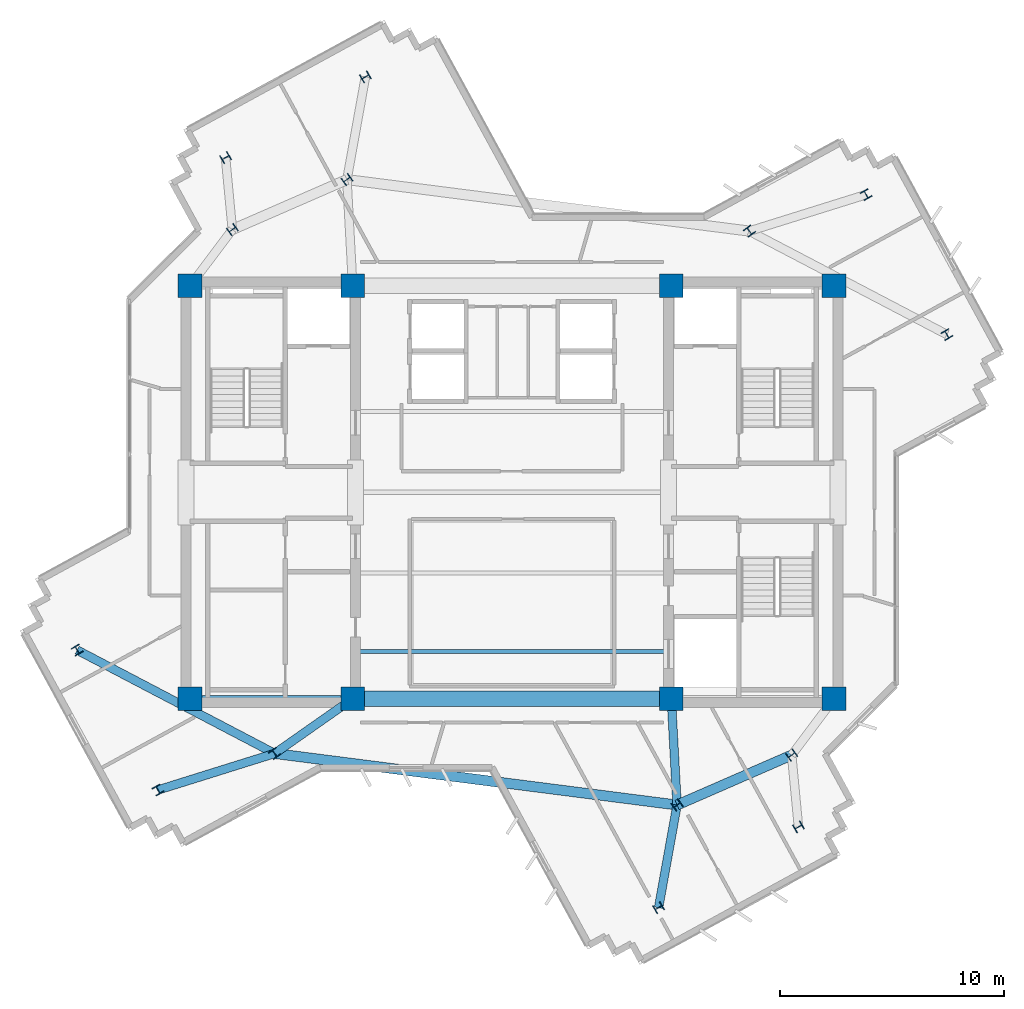
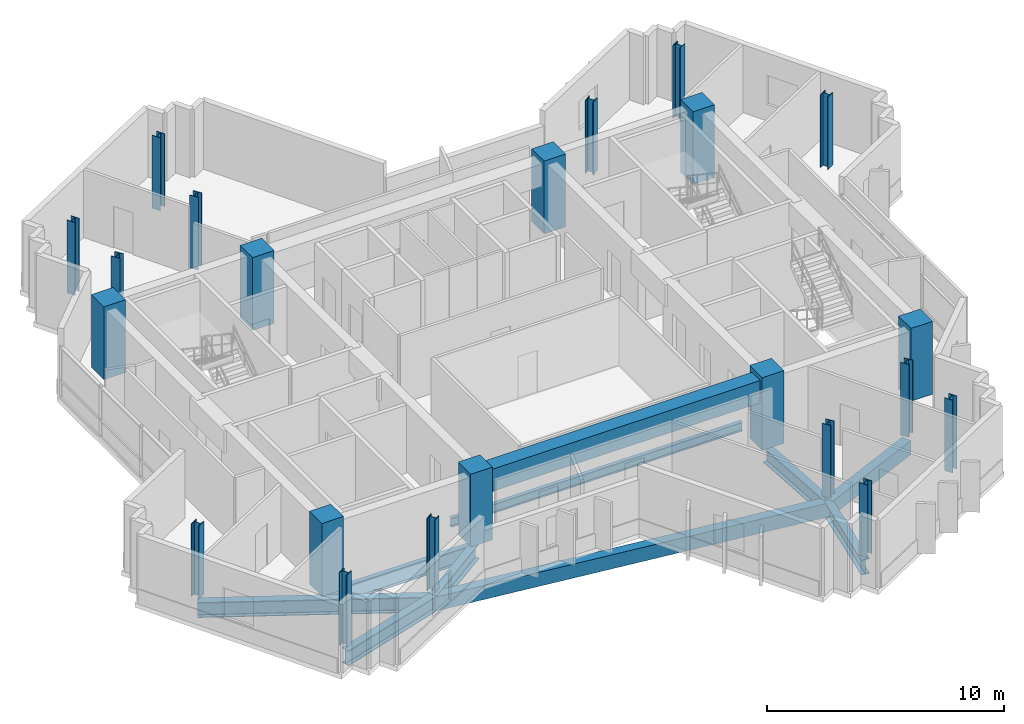
# One storey, part 1 of 13: 22 columns, 10 beams.
"""IFC4 building model written with IfcOpenShell, lengths in metres."""

from ifc_helpers import new_model, si_unit, direction, frame, origin, origin_2d, place, context, subcontext, project, spatial, rectangle, i_section, extrude, source, transform, mapped, material, material_profile, profile_set, type_object, element, save


model = new_model("IFC4")

# Units and contexts
model_context = context("Model", 3, precision=1e-05, world=origin(), true_north=direction((0.0, 1.0)))
body_context = subcontext(model_context, "Body", "Model", "MODEL_VIEW")
ifc_project = project(units=[si_unit("LENGTHUNIT", "METRE"), si_unit("AREAUNIT", "SQUARE_METRE"), si_unit("VOLUMEUNIT", "CUBIC_METRE"), si_unit("PLANEANGLEUNIT", "RADIAN"), si_unit("MASSUNIT", "GRAM", prefix="KILO")], contexts=[model_context])

# Site, building, storey
site_placement = place(None, origin())
site = spatial("IfcSite", under=ifc_project, at=site_placement, CompositionType="ELEMENT")
building_placement = place(site_placement, origin())
building = spatial("IfcBuilding", under=site, at=building_placement, Name="Zahravan Cultural Tower", CompositionType="ELEMENT")
storey_placement = place(building_placement, frame((0.0, 0.0, 250.35009765625)))
storey = spatial("IfcBuildingStorey", under=building, at=storey_placement, Name="L59", CompositionType="ELEMENT", Elevation=250.35009765625)

# Columns
ifc_material_1 = material(Name="Concrete C50/60", Category="concrete")
ifc_material_profile_1 = material_profile(ifc_material_1, rectangle(XDim=1.050048828125, YDim=1.050048828125, at=origin_2d()), Name="RC1050X1050")
ifc_profile_set_1 = profile_set([ifc_material_profile_1], Name="Concrete C50/60")
column_type_1 = type_object("IfcColumnType", Name="COL-RC1050", PredefinedType="COLUMN", material=ifc_profile_set_1)
shared_shape_1 = source(origin(), body_context, "Body", "SweptSolid", [
    extrude(rectangle(XDim=1.050048828125, YDim=1.050048828125, at=origin_2d()), origin(), (0.0, 0.0, 1.0), 3.75),
])
for number, where, z_axis, x_axis, name in (
    (1, (21.64990234375, 17.800048828125, 0.0), (0.0, 0.0, 1.0), (1.0, 0.0, 0.0), "L59 Column CC-W1"),
    (2, (28.89990234375, 17.800048828125, 0.0), (0.0, 0.0, 1.0), (1.0, 0.0, 0.0), "L59 Column CC-W2"),
    (3, (21.64990234375, 36.199951171875, 0.0), (0.0, 0.0, 1.0), (1.0, 0.0, 0.0), "L59 Column CC-W3"),
    (4, (28.89990234375, 36.199951171875, 0.0), (0.0, 0.0, 1.0), (1.0, 0.0, 0.0), "L59 Column CC-W4"),
    (5, (43.10009765625, 17.800048828125, 0.0), (0.0, 0.0, 1.0), (1.0, 0.0, 0.0), "L59 Column CC-E1"),
    (6, (50.35009765625, 17.800048828125, 0.0), (0.0, 0.0, 1.0), (1.0, 0.0, 0.0), "L59 Column CC-E2"),
    (7, (43.10009765625, 36.199951171875, 0.0), (0.0, 0.0, 1.0), (1.0, 0.0, 0.0), "L59 Column CC-E3"),
    (8, (50.35009765625, 36.199951171875, 0.0), (0.0, 0.0, 1.0), (1.0, 0.0, 0.0), "L59 Column CC-E4"),
):
    element("IfcColumn", number, at=place(storey_placement, frame(where, z_axis=z_axis, x_axis=x_axis)), inside=storey, type_object=column_type_1, Name=name, PredefinedType="COLUMN", context=body_context, shape_type="MappedRepresentation", body=[
        mapped(shared_shape_1, transform((0.0, 0.0, 0.0), x_axis=(1.0, 0.0, 0.0), y_axis=(0.0, 1.0, 0.0), z_axis=(0.0, 0.0, 1.0), scale=1.0)),
    ])
ifc_material_2 = material(Name="Steel ASTM A992 Grade 50", Category="steel")
ifc_material_profile_2 = material_profile(ifc_material_2, i_section(OverallWidth=0.39892578125, OverallDepth=0.385986328125, WebThickness=0.02099609375, FlangeThickness=0.033203125, FilletRadius=0.01806640625, at=origin_2d()), Name="W14X176")
ifc_profile_set_2 = profile_set([ifc_material_profile_2], Name="Steel ASTM A992 Grade 50")
column_type_2 = type_object("IfcColumnType", Name="COL-W14X176", PredefinedType="COLUMN", material=ifc_profile_set_2)
shared_shape_2 = source(origin(), body_context, "Body", "SweptSolid", [
    extrude(i_section(OverallWidth=0.39892578125, OverallDepth=0.385986328125, WebThickness=0.02099609375, FlangeThickness=0.033203125, FilletRadius=0.01806640625, at=origin_2d()), origin(), (0.0, 0.0, 1.0), 3.75),
])
for number, where, z_axis, x_axis, name in (
    (9, (46.577880859375, 38.640625, 0.0), (0.0, 0.0, 1.0), (0.809016994375, 0.587785252292, 0.0), "L59 Column Z3C-E2"),
    (10, (28.642578125, 40.937255859375, 0.0), (0.0, 0.0, 1.0), (-0.587785252292, 0.809016994375, 0.0), "L59 Column Z3C-N1"),
    (11, (23.536376953125, 38.710693359375, 0.0), (0.0, 0.0, 1.0), (-0.587785252292, 0.809016994375, 0.0), "L59 Column Z3C-N2"),
    (12, (25.422119140625, 15.359375, 0.0), (0.0, 0.0, 1.0), (0.809016994375, 0.587785252292, 0.0), "L59 Column Z3C-W2"),
    (13, (43.357421875, 13.062744140625, 0.0), (0.0, 0.0, 1.0), (-0.587785252292, 0.809016994375, 0.0), "L59 Column Z3C-S1"),
    (14, (48.463623046875, 15.289306640625, 0.0), (0.0, 0.0, 1.0), (-0.587785252292, 0.809016994375, 0.0), "L59 Column Z3C-S2"),
    (15, (55.38037109375, 34.0322265625, 0.0), (0.0, 0.0, 1.0), (0.866025403784, 0.5, 0.0), "L59 Column Z3T-E1"),
    (16, (51.7802734375, 40.267578125, 0.0), (0.0, 0.0, 1.0), (0.866025403784, 0.5, 0.0), "L59 Column Z3T-E2"),
    (17, (29.4677734375, 45.514404296875, 0.0), (0.0, 0.0, 1.0), (-0.5, 0.866025403784, 0.0), "L59 Column Z3T-N1"),
    (18, (23.232421875, 41.914306640625, 0.0), (0.0, 0.0, 1.0), (-0.5, 0.866025403784, 0.0), "L59 Column Z3T-N2"),
    (19, (16.61962890625, 19.9677734375, 0.0), (0.0, 0.0, 1.0), (0.866025403784, 0.5, 0.0), "L59 Column Z3T-W1"),
    (20, (20.2197265625, 13.732421875, 0.0), (0.0, 0.0, 1.0), (0.866025403784, 0.5, 0.0), "L59 Column Z3T-W2"),
    (21, (42.5322265625, 8.485595703125, 0.0), (0.0, 0.0, 1.0), (-0.5, 0.866025403784, 0.0), "L59 Column Z3T-S1"),
    (22, (48.767578125, 12.085693359375, 0.0), (0.0, 0.0, 1.0), (-0.5, 0.866025403784, 0.0), "L59 Column Z3T-S2"),
):
    element("IfcColumn", number, at=place(storey_placement, frame(where, z_axis=z_axis, x_axis=x_axis)), inside=storey, type_object=column_type_2, Name=name, PredefinedType="COLUMN", context=body_context, shape_type="MappedRepresentation", body=[
        mapped(shared_shape_2, transform((0.0, 0.0, 0.0), x_axis=(1.0, 0.0, 0.0), y_axis=(0.0, 1.0, 0.0), z_axis=(0.0, 0.0, 1.0), scale=1.0)),
    ])

# Beams
ifc_material_profile_3 = material_profile(ifc_material_1, rectangle(XDim=0.699951171875, YDim=1.14990234375, at=origin_2d()), Name="RC700X1150")
ifc_profile_set_3 = profile_set([ifc_material_profile_3], Name="Concrete C50/60")
beam_type_1 = type_object("IfcBeamType", Name="BM-LN-RC700X1150", PredefinedType="LINTEL", material=ifc_profile_set_3)
shared_shape_3 = source(origin(), body_context, "Body", "SweptSolid", [
    extrude(rectangle(XDim=0.699951171875, YDim=1.14990234375, at=origin_2d()), origin(), (0.0, 0.0, 1.0), 14.2001953125),
])
beam_1_placement = place(storey_placement, frame((28.89990234375, 17.800048828125, 2.9248046875), z_axis=(1.0, 0.0, 0.0), x_axis=(0.0, 1.0, 0.0)))
element("IfcBeam", 23, at=beam_1_placement, inside=storey, type_object=beam_type_1, Name="L59 Beam LN-L59-S", PredefinedType="LINTEL", context=body_context, shape_type="MappedRepresentation", body=[
    mapped(shared_shape_3, transform((0.0, 0.0, 0.0), x_axis=(1.0, 0.0, 0.0), y_axis=(0.0, 1.0, 0.0), z_axis=(0.0, 0.0, 1.0), scale=1.0)),
])
ifc_material_profile_4 = material_profile(ifc_material_2, i_section(OverallWidth=0.26611328125, OverallDepth=0.780029296875, WebThickness=0.0166015625, FlangeThickness=0.030029296875, FilletRadius=0.01904296875, at=origin_2d()), Name="W30X148")
ifc_profile_set_4 = profile_set([ifc_material_profile_4], Name="Steel ASTM A992 Grade 50")
beam_type_2 = type_object("IfcBeamType", Name="BM-G-W30X148", PredefinedType="BEAM", material=ifc_profile_set_4)
shared_shape_4 = source(origin(), body_context, "Body", "SweptSolid", [
    extrude(i_section(OverallWidth=0.26611328125, OverallDepth=0.780029296875, WebThickness=0.0166015625, FlangeThickness=0.030029296875, FilletRadius=0.01904296875, at=origin_2d()), origin(), (0.0, 0.0, 1.0), 7.25),
])
beam_2_placement = place(storey_placement, frame((21.64990234375, 17.800048828125, -0.64013671875), z_axis=(1.0, 0.0, 0.0), x_axis=(0.0, 1.0, 0.0)))
element("IfcBeam", 24, at=beam_2_placement, inside=storey, type_object=beam_type_2, Name="L59 Beam BG-L59-01", PredefinedType="BEAM", context=body_context, shape_type="MappedRepresentation", body=[
    mapped(shared_shape_4, transform((0.0, 0.0, 0.0), x_axis=(1.0, 0.0, 0.0), y_axis=(0.0, 1.0, 0.0), z_axis=(0.0, 0.0, 1.0), scale=1.0)),
])
ifc_material_3 = material(Name="Concrete C45/55", Category="concrete")
ifc_material_profile_5 = material_profile(ifc_material_3, rectangle(XDim=0.449951171875, YDim=0.719970703125, at=origin_2d()), Name="RC450X720")
ifc_profile_set_5 = profile_set([ifc_material_profile_5], Name="Concrete C45/55")
beam_type_3 = type_object("IfcBeamType", Name="BM-SP-RC450X720", PredefinedType="SPANDREL", material=ifc_profile_set_5)
shared_shape_5 = source(origin(), body_context, "Body", "SweptSolid", [
    extrude(rectangle(XDim=0.449951171875, YDim=0.719970703125, at=origin_2d()), origin(), (0.0, 0.0, 1.0), 18.081787109375),
])
beam_3_placement = place(storey_placement, frame((25.422119140625, 15.359375, -0.610107421875), z_axis=(0.991900954377, -0.127013765812, 0.0), x_axis=(0.127013765812, 0.991900954377, 0.0)))
element("IfcBeam", 25, at=beam_3_placement, inside=storey, type_object=beam_type_3, Name="L59 Beam SP-L59-20", PredefinedType="SPANDREL", context=body_context, shape_type="MappedRepresentation", body=[
    mapped(shared_shape_5, transform((0.0, 0.0, 0.0), x_axis=(1.0, 0.0, 0.0), y_axis=(0.0, 1.0, 0.0), z_axis=(0.0, 0.0, 1.0), scale=1.0)),
])
shared_shape_6 = source(origin(), body_context, "Body", "SweptSolid", [
    extrude(rectangle(XDim=0.449951171875, YDim=0.719970703125, at=origin_2d()), origin(), (0.0, 0.0, 1.0), 5.570556640625),
])
beam_4_placement = place(storey_placement, frame((43.357421875, 13.062744140625, -0.610107421875), z_axis=(0.9166445026, 0.399703459896, 0.0), x_axis=(-0.399703459896, 0.9166445026, 0.0)))
element("IfcBeam", 26, at=beam_4_placement, inside=storey, type_object=beam_type_3, Name="L59 Beam SP-L59-21", PredefinedType="SPANDREL", context=body_context, shape_type="MappedRepresentation", body=[
    mapped(shared_shape_6, transform((0.0, 0.0, 0.0), x_axis=(1.0, 0.0, 0.0), y_axis=(0.0, 1.0, 0.0), z_axis=(0.0, 0.0, 1.0), scale=1.0)),
])
ifc_material_profile_6 = material_profile(ifc_material_2, i_section(OverallWidth=0.18994140625, OverallDepth=0.45703125, WebThickness=0.009033203125, FlangeThickness=0.014404296875, FilletRadius=0.012939453125, at=origin_2d()), Name="W18X50")
ifc_profile_set_6 = profile_set([ifc_material_profile_6], Name="Steel ASTM A992 Grade 50")
beam_type_4 = type_object("IfcBeamType", Name="BM-J-W18X50", PredefinedType="JOIST", material=ifc_profile_set_6)
shared_shape_7 = source(origin(), body_context, "Body", "SweptSolid", [
    extrude(i_section(OverallWidth=0.18994140625, OverallDepth=0.45703125, WebThickness=0.009033203125, FlangeThickness=0.014404296875, FilletRadius=0.012939453125, at=origin_2d()), origin(), (0.0, 0.0, 1.0), 14.2001953125),
])
beam_5_placement = place(storey_placement, frame((28.89990234375, 19.89990234375, -0.478515625), z_axis=(1.0, 0.0, 0.0), x_axis=(0.0, 1.0, 0.0)))
element("IfcBeam", 27, at=beam_5_placement, inside=storey, type_object=beam_type_4, Name="L59 Beam BJ-L59-24", PredefinedType="JOIST", context=body_context, shape_type="MappedRepresentation", body=[
    mapped(shared_shape_7, transform((0.0, 0.0, 0.0), x_axis=(1.0, 0.0, 0.0), y_axis=(0.0, 1.0, 0.0), z_axis=(0.0, 0.0, 1.0), scale=1.0)),
])
ifc_material_profile_7 = material_profile(ifc_material_2, i_section(OverallWidth=0.382080078125, OverallDepth=0.779052734375, WebThickness=0.01806640625, FlangeThickness=0.030029296875, FilletRadius=0.01904296875, at=origin_2d()), Name="W30X191")
ifc_profile_set_7 = profile_set([ifc_material_profile_7], Name="Steel ASTM A992 Grade 50")
beam_type_5 = type_object("IfcBeamType", Name="BM-G-W30X191", PredefinedType="BEAM", material=ifc_profile_set_7)
shared_shape_8 = source(origin(), body_context, "Body", "SweptSolid", [
    extrude(i_section(OverallWidth=0.382080078125, OverallDepth=0.779052734375, WebThickness=0.01806640625, FlangeThickness=0.030029296875, FilletRadius=0.01904296875, at=origin_2d()), origin(), (0.0, 0.0, 1.0), 4.248779296875),
])
beam_6_placement = place(storey_placement, frame((28.89990234375, 17.800048828125, -0.6396484375), z_axis=(-0.81854294596, -0.574445337365, 0.0), x_axis=(0.574445337365, -0.81854294596, 0.0)))
element("IfcBeam", 28, at=beam_6_placement, inside=storey, type_object=beam_type_5, Name="L59 Beam BG-L59-07", PredefinedType="BEAM", context=body_context, shape_type="MappedRepresentation", body=[
    mapped(shared_shape_8, transform((0.0, 0.0, 0.0), x_axis=(1.0, 0.0, 0.0), y_axis=(0.0, 1.0, 0.0), z_axis=(0.0, 0.0, 1.0), scale=1.0)),
])
shared_shape_9 = source(origin(), body_context, "Body", "SweptSolid", [
    extrude(i_section(OverallWidth=0.382080078125, OverallDepth=0.779052734375, WebThickness=0.01806640625, FlangeThickness=0.030029296875, FilletRadius=0.01904296875, at=origin_2d()), origin(), (0.0, 0.0, 1.0), 4.744384765625),
])
beam_7_placement = place(storey_placement, frame((43.10009765625, 17.800048828125, -0.6396484375), z_axis=(0.054238739845, -0.998527996152, 0.0), x_axis=(0.998527996152, 0.054238739845, 0.0)))
element("IfcBeam", 29, at=beam_7_placement, inside=storey, type_object=beam_type_5, Name="L59 Beam BG-L59-08", PredefinedType="BEAM", context=body_context, shape_type="MappedRepresentation", body=[
    mapped(shared_shape_9, transform((0.0, 0.0, 0.0), x_axis=(1.0, 0.0, 0.0), y_axis=(0.0, 1.0, 0.0), z_axis=(0.0, 0.0, 1.0), scale=1.0)),
])
shared_shape_10 = source(origin(), body_context, "Body", "SweptSolid", [
    extrude(i_section(OverallWidth=0.382080078125, OverallDepth=0.779052734375, WebThickness=0.01806640625, FlangeThickness=0.030029296875, FilletRadius=0.01904296875, at=origin_2d()), origin(), (0.0, 0.0, 1.0), 9.935791015625),
])
beam_8_placement = place(storey_placement, frame((25.422119140625, 15.359375, -0.6396484375), z_axis=(-0.885932031042, 0.463815088558, 0.0), x_axis=(-0.463815088558, -0.885932031042, 0.0)))
element("IfcBeam", 30, at=beam_8_placement, inside=storey, type_object=beam_type_5, Name="L59 Beam BG-L59-16", PredefinedType="BEAM", context=body_context, shape_type="MappedRepresentation", body=[
    mapped(shared_shape_10, transform((0.0, 0.0, 0.0), x_axis=(1.0, 0.0, 0.0), y_axis=(0.0, 1.0, 0.0), z_axis=(0.0, 0.0, 1.0), scale=1.0)),
])
shared_shape_11 = source(origin(), body_context, "Body", "SweptSolid", [
    extrude(i_section(OverallWidth=0.382080078125, OverallDepth=0.779052734375, WebThickness=0.01806640625, FlangeThickness=0.030029296875, FilletRadius=0.01904296875, at=origin_2d()), origin(), (0.0, 0.0, 1.0), 5.450927734375),
])
beam_9_placement = place(storey_placement, frame((25.422119140625, 15.359375, -0.6396484375), z_axis=(-0.954416996605, -0.298476459025, 0.0), x_axis=(0.298476459025, -0.954416996605, 0.0)))
element("IfcBeam", 31, at=beam_9_placement, inside=storey, type_object=beam_type_5, Name="L59 Beam BG-L59-17", PredefinedType="BEAM", context=body_context, shape_type="MappedRepresentation", body=[
    mapped(shared_shape_11, transform((0.0, 0.0, 0.0), x_axis=(1.0, 0.0, 0.0), y_axis=(0.0, 1.0, 0.0), z_axis=(0.0, 0.0, 1.0), scale=1.0)),
])
shared_shape_12 = source(origin(), body_context, "Body", "SweptSolid", [
    extrude(i_section(OverallWidth=0.382080078125, OverallDepth=0.779052734375, WebThickness=0.01806640625, FlangeThickness=0.030029296875, FilletRadius=0.01904296875, at=origin_2d()), origin(), (0.0, 0.0, 1.0), 4.65087890625),
])
beam_10_placement = place(storey_placement, frame((43.357421875, 13.062744140625, -0.6396484375), z_axis=(-0.177425522697, -0.984134230629, 0.0), x_axis=(0.984134230629, -0.177425522697, 0.0)))
element("IfcBeam", 32, at=beam_10_placement, inside=storey, type_object=beam_type_5, Name="L59 Beam BG-L59-18", PredefinedType="BEAM", context=body_context, shape_type="MappedRepresentation", body=[
    mapped(shared_shape_12, transform((0.0, 0.0, 0.0), x_axis=(1.0, 0.0, 0.0), y_axis=(0.0, 1.0, 0.0), z_axis=(0.0, 0.0, 1.0), scale=1.0)),
])

save(model, "model.ifc")
